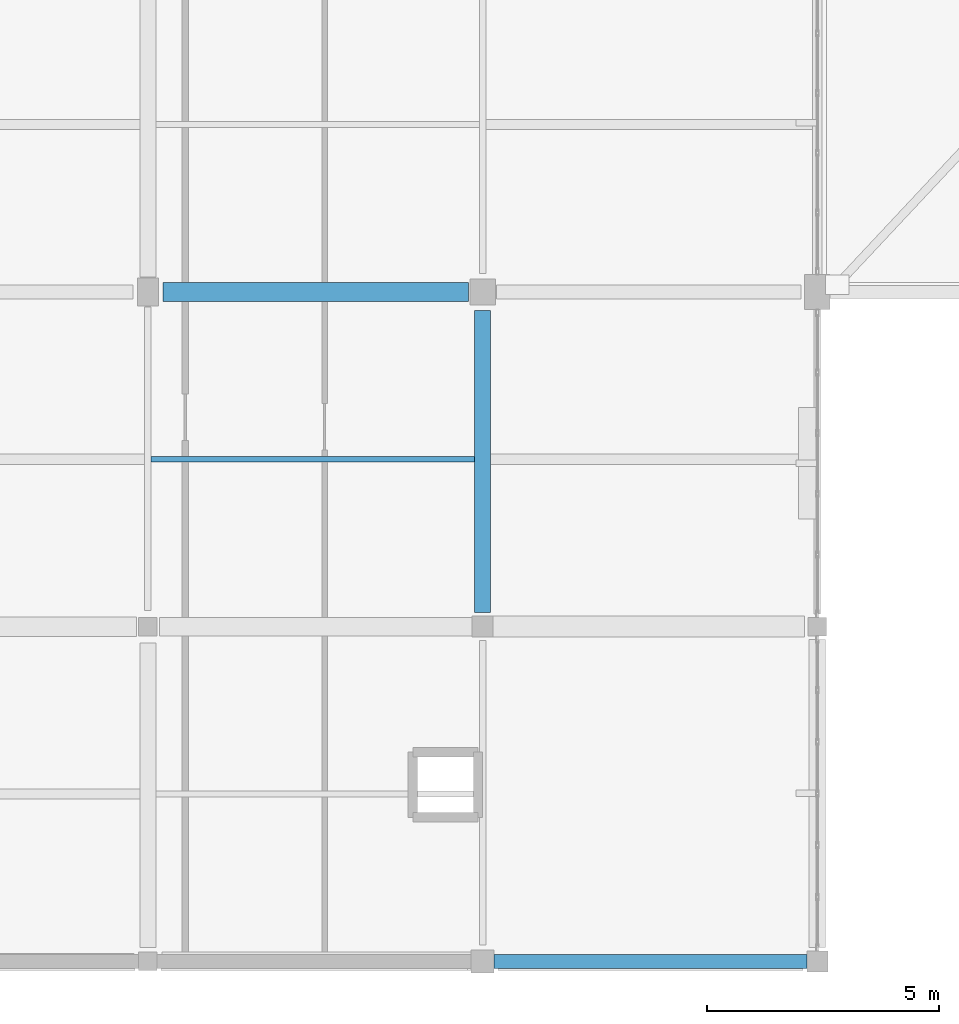
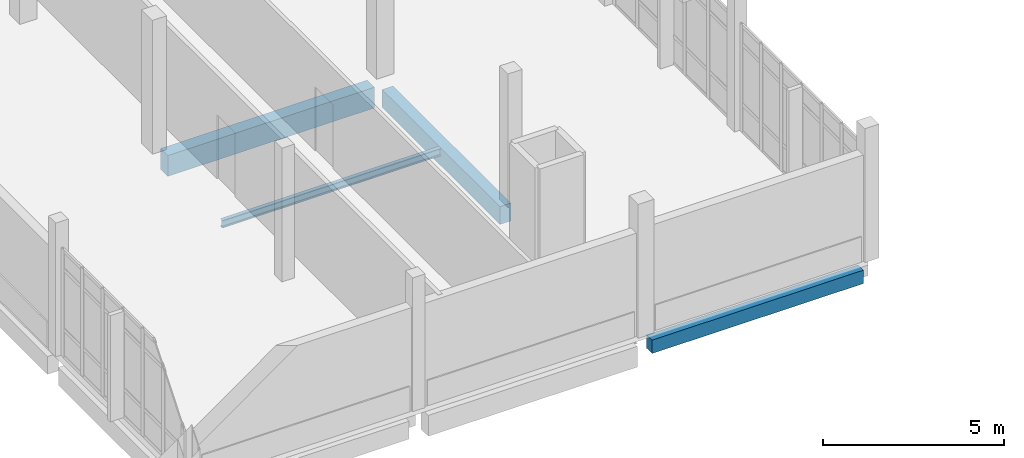
# One storey, part 6 of 87: 4 beams.
"""IFC4 building model written with IfcOpenShell, lengths in metres."""

from ifc_helpers import new_model, si_unit, direction, frame, origin, origin_2d, place, context, subcontext, project, spatial, rectangle, i_section, extrude, material, material_profile, profile_set, type_object, element, save


model = new_model("IFC4")

# Units and contexts
model_context = context("Model", 3, precision=1e-05, world=origin(), true_north=direction((0.0, 1.0)))
body_context = subcontext(model_context, "Body", "Model", "MODEL_VIEW")
ifc_project = project(units=[si_unit("LENGTHUNIT", "METRE"), si_unit("AREAUNIT", "SQUARE_METRE"), si_unit("VOLUMEUNIT", "CUBIC_METRE"), si_unit("PLANEANGLEUNIT", "RADIAN"), si_unit("MASSUNIT", "GRAM", prefix="KILO")], contexts=[model_context])

# Site, building, storey
site_placement = place(None, origin())
site = spatial("IfcSite", under=ifc_project, at=site_placement, CompositionType="ELEMENT")
building_placement = place(site_placement, origin())
building = spatial("IfcBuilding", under=site, at=building_placement, Name="Kalluvel Institute of Natural Sciences", CompositionType="ELEMENT")
storey_placement = place(building_placement, frame((0.0, 0.0, 18.89990234375)))
storey = spatial("IfcBuildingStorey", under=building, at=storey_placement, Name="L04", CompositionType="ELEMENT", Elevation=18.89990234375)

# Beams
ifc_material_1 = material(Name="Concrete M40", Category="concrete")
ifc_material_profile_1 = material_profile(ifc_material_1, rectangle(XDim=0.35009765625, YDim=0.60009765625, at=origin_2d()), Name="RCB 350x600")
ifc_profile_set_1 = profile_set([ifc_material_profile_1], Name="Concrete M40")
beam_type_1 = type_object("IfcBeamType", Name="BM-RC350x600", PredefinedType="BEAM", material=ifc_profile_set_1)
beam_1_placement = place(storey_placement, frame((28.39990234375, 21.5, -0.599853515625), z_axis=(0.0, 1.0, 0.0), x_axis=(-1.0, 0.0, 0.0)))
element("IfcBeam", 1, at=beam_1_placement, inside=storey, type_object=beam_type_1, Name="L04 girder GIR-L04-NS-X284-Y212", PredefinedType="BEAM", context=body_context, shape_type="SweptSolid", body=[
    extrude(rectangle(XDim=0.35009765625, YDim=0.60009765625, at=origin_2d()), origin(), (0.0, 0.0, 1.0), 6.5),
])
ifc_material_profile_2 = material_profile(ifc_material_1, rectangle(XDim=0.300048828125, YDim=0.449951171875, at=origin_2d()), Name="RCB 300x450")
ifc_profile_set_2 = profile_set([ifc_material_profile_2], Name="Concrete M40")
beam_type_2 = type_object("IfcBeamType", Name="SP-RC300x450", PredefinedType="SPANDREL", material=ifc_profile_set_2)
beam_2_placement = place(storey_placement, frame((28.64990234375, 14.0, -0.52490234375), z_axis=(1.0, 0.0, 0.0), x_axis=(0.0, 1.0, 0.0)))
element("IfcBeam", 2, at=beam_2_placement, inside=storey, type_object=beam_type_2, Name="L04 girder GIR-L04-EW-X284-Y140", PredefinedType="SPANDREL", context=body_context, shape_type="SweptSolid", body=[
    extrude(rectangle(XDim=0.300048828125, YDim=0.449951171875, at=origin_2d()), origin(), (0.0, 0.0, 1.0), 6.72509765625),
])
ifc_material_profile_3 = material_profile(ifc_material_1, rectangle(XDim=0.39990234375, YDim=0.699951171875, at=origin_2d()), Name="RCB 400x700")
ifc_profile_set_3 = profile_set([ifc_material_profile_3], Name="Concrete M40")
beam_type_3 = type_object("IfcBeamType", Name="SP-RC400x700", PredefinedType="SPANDREL", material=ifc_profile_set_3)
beam_3_placement = place(storey_placement, frame((21.52490234375, 28.39990234375, -0.64990234375), z_axis=(1.0, 0.0, 0.0), x_axis=(0.0, 1.0, 0.0)))
element("IfcBeam", 3, at=beam_3_placement, inside=storey, type_object=beam_type_3, Name="L04 girder GIR-L04-EW-X212-Y284", PredefinedType="SPANDREL", context=body_context, shape_type="SweptSolid", body=[
    extrude(rectangle(XDim=0.39990234375, YDim=0.699951171875, at=origin_2d()), origin(), (0.0, 0.0, 1.0), 6.5751953125),
])
ifc_material_2 = material(Name="Steel E350 Grade 350", Category="steel")
ifc_material_profile_4 = material_profile(ifc_material_2, i_section(OverallWidth=0.125, OverallDepth=0.25, WebThickness=0.0068359375, FlangeThickness=0.012451171875, FilletRadius=0.012939453125, at=origin_2d()), Name="ISMB 250")
ifc_profile_set_4 = profile_set([ifc_material_profile_4], Name="Steel E350 Grade 350")
beam_type_4 = type_object("IfcBeamType", Name="WJ-ISMB250", PredefinedType="JOIST", material=ifc_profile_set_4)
beam_4_placement = place(storey_placement, frame((21.27001953125, 24.800048828125, -0.4248046875), z_axis=(1.0, 0.0, 0.0), x_axis=(0.0, 1.0, 0.0)))
element("IfcBeam", 4, at=beam_4_placement, inside=storey, type_object=beam_type_4, Name="L04 floor rib RIB-L04-0710", PredefinedType="JOIST", context=body_context, shape_type="SweptSolid", body=[
    extrude(i_section(OverallWidth=0.125, OverallDepth=0.25, WebThickness=0.0068359375, FlangeThickness=0.012451171875, FilletRadius=0.012939453125, at=origin_2d()), origin(), (0.0, 0.0, 1.0), 6.955078125),
])

save(model, "model.ifc")
